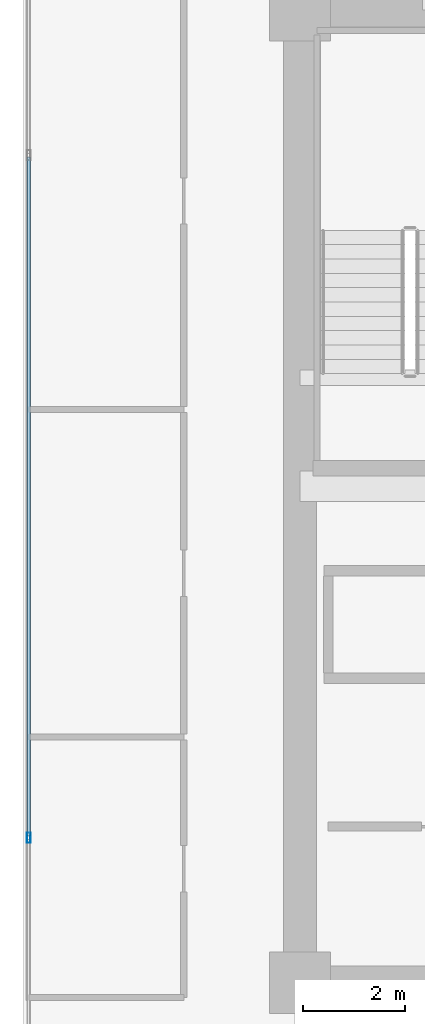
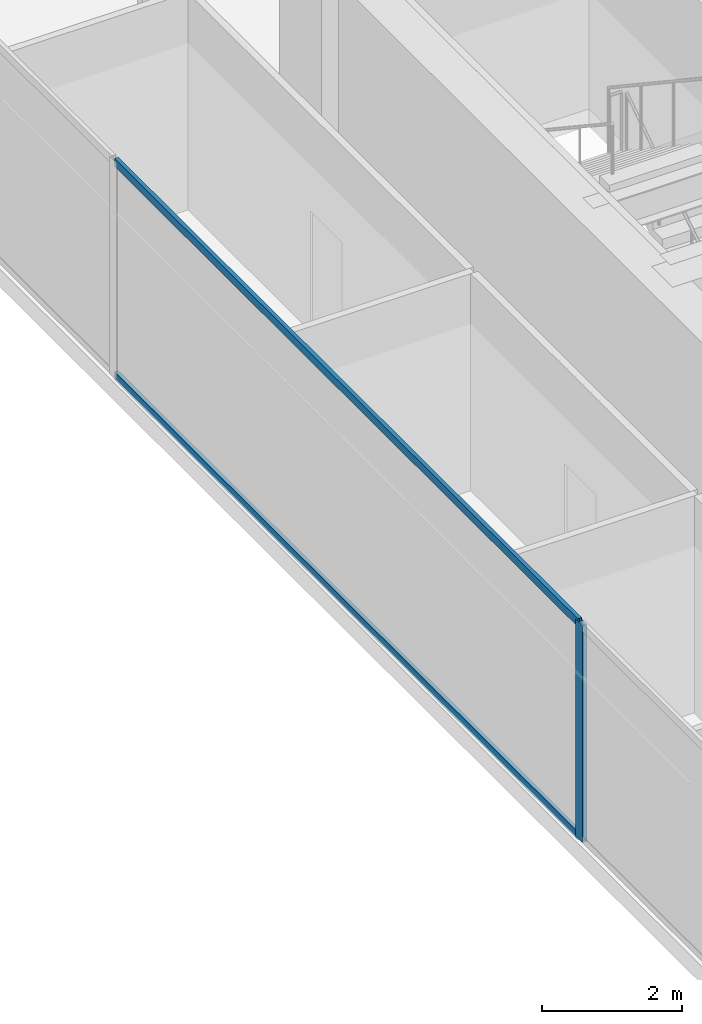
# One storey, part 6 of 34: 3 members, 1 element without a shape of its own.
"""IFC4 building model written with IfcOpenShell, lengths in metres."""

import ifcopenshell
import ifcopenshell.guid

model = None  # the IFC model being written
_history = None  # IfcOwnerHistory: only IFC2X3 demands one
_inside = {}  # id of a spatial element -> (the spatial element, [elements in it])
_under = {}  # id of a project, library or spatial element -> (it, [spatial elements below it])
_declared = {}  # id of a project -> (the project, [libraries it declares])
_typed = {}  # id of a type object -> (the type object, [elements of that type])
_made_of = {}  # id of a material, layer set ... -> (it, [elements and type objects made of it])


def new_model(schema):
    """Start an empty IFC model of exactly this schema.

    Asked for "IFC4X3", IfcOpenShell would pick the latest addendum, in which some entities
    have other attributes; the version numbers below select the first issue.
    IFC2X3 requires an IfcOwnerHistory on every rooted entity: one is made here for all.
    """
    global model, _history
    if schema == "IFC4X3":
        model = ifcopenshell.file(schema_version=(4, 3, 0, 0))
    else:
        model = ifcopenshell.file(schema=schema)
    _inside.clear()
    _under.clear()
    _declared.clear()
    _typed.clear()
    _made_of.clear()
    _history = None
    if model.schema == "IFC2X3":
        org = make("IfcOrganization", Name="unknown")
        user = make(
            "IfcPersonAndOrganization",
            ThePerson=make("IfcPerson", FamilyName="unknown"),
            TheOrganization=org,
        )
        app = make(
            "IfcApplication",
            ApplicationDeveloper=org,
            Version="unknown",
            ApplicationFullName="unknown",
            ApplicationIdentifier="unknown",
        )
        _history = make(
            "IfcOwnerHistory",
            OwningUser=user,
            OwningApplication=app,
            ChangeAction="ADDED",
            CreationDate=0,
        )
    return model


def make(cls, **values):
    """One entity of the class cls with the attributes given. An attribute that is None is left unset."""
    return model.create_entity(
        cls, **{name: value for name, value in values.items() if value is not None}
    )


def rooted(cls, **values):
    """An entity with a GlobalId (a new one), such as an element, a storey or a relation."""
    return make(cls, GlobalId=ifcopenshell.guid.new(), OwnerHistory=_history, **values)


def si_unit(unit_type, name, prefix=None):
    """IfcSIUnit, for example si_unit("LENGTHUNIT", "METRE", prefix="MILLI")."""
    return make("IfcSIUnit", UnitType=unit_type, Prefix=prefix, Name=name)


def assignment(units):
    """IfcUnitAssignment: the units of a project."""
    return None if units is None else make("IfcUnitAssignment", Units=units)


def point(xyz):
    """IfcCartesianPoint."""
    return None if xyz is None else make("IfcCartesianPoint", Coordinates=xyz)


def direction(xyz):
    """IfcDirection."""
    return None if xyz is None else make("IfcDirection", DirectionRatios=xyz)


def frame(location, z_axis=None, x_axis=None):
    """IfcAxis2Placement3D, a coordinate frame: its origin and axes. An axis left out is left unset."""
    return make(
        "IfcAxis2Placement3D",
        Location=point(location),
        Axis=direction(z_axis),
        RefDirection=direction(x_axis),
    )


def frame_2d(location, x_axis=None):
    """IfcAxis2Placement2D, a coordinate frame in the plane: its origin and x axis."""
    return make(
        "IfcAxis2Placement2D", Location=point(location), RefDirection=direction(x_axis)
    )


def origin():
    """The frame at (0, 0, 0) with its axes left unset."""
    return frame((0.0, 0.0, 0.0))


def origin_2d():
    """The frame at (0, 0) in the plane with its x axis left unset."""
    return frame_2d((0.0, 0.0))


def place(relative_to, where):
    """IfcLocalPlacement: puts the frame where relative to a parent placement (None: the world)."""
    return make(
        "IfcLocalPlacement", PlacementRelTo=relative_to, RelativePlacement=where
    )


def context(
    kind, dimensions, precision=None, world=None, true_north=None, identifier=None
):
    """IfcGeometricRepresentationContext, for example the 3D "Model" context."""
    return make(
        "IfcGeometricRepresentationContext",
        ContextIdentifier=identifier,
        ContextType=kind,
        CoordinateSpaceDimension=dimensions,
        Precision=precision,
        WorldCoordinateSystem=world,
        TrueNorth=true_north,
    )


def subcontext(parent, identifier, kind, view, scale=None):
    """IfcGeometricRepresentationSubContext, for example "Body" below "Model"."""
    return make(
        "IfcGeometricRepresentationSubContext",
        ContextIdentifier=identifier,
        ContextType=kind,
        ParentContext=parent,
        TargetScale=scale,
        TargetView=view,
    )


def project(units=None, contexts=None):
    """IfcProject with its units and contexts."""
    return rooted(
        "IfcProject",
        Name="project",
        RepresentationContexts=contexts,
        UnitsInContext=assignment(units),
    )


def spatial(cls, under=None, at=None, **own):
    """A site, building, storey or space (cls), placed at a placement, below another one or the project."""
    s = rooted(cls, ObjectPlacement=at, **own)
    if under is not None:
        _under.setdefault(under.id(), (under, []))[1].append(s)
    return s


def profile(cls, at=None, kind="AREA", **sizes):
    """A parametric profile (cls). Its sizes go by their IFC names, for example OverallWidth=200.0."""
    return make(cls, ProfileType=kind, Position=at, **sizes)


def hollow_rectangle(**sizes):
    """IfcRectangleHollowProfileDef."""
    return profile("IfcRectangleHollowProfileDef", **sizes)


def extrude(swept, where, along, depth):
    """IfcExtrudedAreaSolid: the profile swept, set in the frame where, extruded along a direction by depth."""
    return make(
        "IfcExtrudedAreaSolid",
        SweptArea=swept,
        Position=where,
        ExtrudedDirection=direction(along),
        Depth=depth,
    )


def shape(context_of_items, identifier, shape_type, items):
    """IfcShapeRepresentation: the items that make up one representation, for example the "Body"."""
    return make(
        "IfcShapeRepresentation",
        ContextOfItems=context_of_items,
        RepresentationIdentifier=identifier,
        RepresentationType=shape_type,
        Items=items,
    )


def source(mapping_origin, context_of_items, identifier, shape_type, items):
    """IfcRepresentationMap: a shape defined once, which mapped items show again and again."""
    return make(
        "IfcRepresentationMap",
        MappingOrigin=mapping_origin,
        MappedRepresentation=shape(context_of_items, identifier, shape_type, items),
    )


def transform(
    local_origin,
    x_axis=None,
    y_axis=None,
    z_axis=None,
    scale=None,
    scale2=None,
    scale3=None,
    uniform=True,
):
    """IfcCartesianTransformationOperator3D, or its non-uniform kind. x_axis, y_axis, z_axis: its Axis1, 2, 3."""
    if uniform:
        return make(
            "IfcCartesianTransformationOperator3D",
            Axis1=direction(x_axis),
            Axis2=direction(y_axis),
            LocalOrigin=point(local_origin),
            Scale=scale,
            Axis3=direction(z_axis),
        )
    return make(
        "IfcCartesianTransformationOperator3DnonUniform",
        Axis1=direction(x_axis),
        Axis2=direction(y_axis),
        LocalOrigin=point(local_origin),
        Scale=scale,
        Axis3=direction(z_axis),
        Scale2=scale2,
        Scale3=scale3,
    )


def mapped(mapping_source, mapping_target):
    """IfcMappedItem: shows the shape of a source again, moved by a transform."""
    return make(
        "IfcMappedItem", MappingSource=mapping_source, MappingTarget=mapping_target
    )


def material(Name=None, Category=None):
    """IfcMaterial."""
    return make("IfcMaterial", Name=Name, Category=Category)


def layer(
    of_material, thickness, ventilated=None, Name=None, Category=None, Priority=None
):
    """IfcMaterialLayer: one layer of a wall or slab, of a material (None: an air gap)."""
    return make(
        "IfcMaterialLayer",
        Material=of_material,
        LayerThickness=thickness,
        IsVentilated=ventilated,
        Name=Name,
        Category=Category,
        Priority=Priority,
    )


def layer_set(layers, Name=None):
    """IfcMaterialLayerSet."""
    return make("IfcMaterialLayerSet", MaterialLayers=layers, LayerSetName=Name)


def material_profile(
    of_material, cross_section, Name=None, Category=None, Priority=None
):
    """IfcMaterialProfile: a cross section and its material."""
    return make(
        "IfcMaterialProfile",
        Name=Name,
        Material=of_material,
        Profile=cross_section,
        Priority=Priority,
        Category=Category,
    )


def profile_set(profiles, Name=None, composite=None):
    """IfcMaterialProfileSet."""
    return make(
        "IfcMaterialProfileSet",
        Name=Name,
        MaterialProfiles=profiles,
        CompositeProfile=composite,
    )


def made_of(thing, what):
    """Note that an element or type object is made of a material, layer set ...; save() writes the relation."""
    if what is not None:
        _made_of.setdefault(what.id(), (what, []))[1].append(thing)
    return thing


def type_object(cls, material=None, **own):
    """A type object (cls), such as IfcWallType, which elements share."""
    return made_of(rooted(cls, **own), material)


def type_shapes(of_type, sources):
    """Give a type object the sources (RepresentationMaps) that its elements show as mapped items."""
    of_type.RepresentationMaps = sources


def element(
    cls,
    number,
    at=None,
    inside=None,
    cuts=None,
    type_object=None,
    material=None,
    context=None,
    identifier="Body",
    shape_type=None,
    held_by="IfcProductDefinitionShape",
    body=None,
    shapes=None,
    **own,
):
    """One element of the class cls, such as IfcWall. Its Tag is "e" and its number.

    at: its placement. inside: the storey or other place that contains it. cuts: it is an
    opening in that element (IfcRelVoidsElement). A single representation is given by context,
    identifier, shape_type and body (its items); several are given by shapes. held_by: the class
    of the entity that holds the representations. save() writes the other relations.
    """
    e = rooted(cls, Tag="e%d" % number, ObjectPlacement=at, **own)
    if body is not None:
        shapes = [shape(context, identifier, shape_type, body)]
    if shapes is not None:
        e.Representation = make(held_by, Representations=shapes)
    if inside is not None:
        _inside.setdefault(inside.id(), (inside, []))[1].append(e)
    if cuts is not None:
        rooted(
            "IfcRelVoidsElement", RelatingBuildingElement=cuts, RelatedOpeningElement=e
        )
    if type_object is not None:
        _typed.setdefault(type_object.id(), (type_object, []))[1].append(e)
    return made_of(e, material)


def aggregate(whole, parts):
    """IfcRelAggregates: a whole, such as a stair, and the parts it consists of."""
    return rooted("IfcRelAggregates", RelatingObject=whole, RelatedObjects=parts)


def save(model, path):
    """Write the relations noted so far, then the file.

    IfcRelAggregates (storeys below a building ...), IfcRelContainedInSpatialStructure (elements
    in a storey), IfcRelDefinesByType, IfcRelAssociatesMaterial and IfcRelDeclares: one each for
    every whole, place, type object, material and project.
    """
    for whole, parts in _under.values():
        aggregate(whole, parts)
    for where, things in _inside.values():
        rooted(
            "IfcRelContainedInSpatialStructure",
            RelatedElements=things,
            RelatingStructure=where,
        )
    for kind, things in _typed.values():
        rooted("IfcRelDefinesByType", RelatedObjects=things, RelatingType=kind)
    for what, things in _made_of.values():
        rooted("IfcRelAssociatesMaterial", RelatedObjects=things, RelatingMaterial=what)
    for by, libraries in _declared.values():
        rooted("IfcRelDeclares", RelatingContext=by, RelatedDefinitions=libraries)
    model.write(path)


model = new_model("IFC4")

# Units and contexts
model_context = context("Model", 3, precision=1e-05, world=origin(), true_north=direction((0.0, 1.0)))
body_context = subcontext(model_context, "Body", "Model", "MODEL_VIEW")
ifc_project = project(units=[si_unit("LENGTHUNIT", "METRE"), si_unit("AREAUNIT", "SQUARE_METRE"), si_unit("VOLUMEUNIT", "CUBIC_METRE"), si_unit("PLANEANGLEUNIT", "RADIAN"), si_unit("MASSUNIT", "GRAM", prefix="KILO")], contexts=[model_context])

# Site, building, storey
site_placement = place(None, origin())
site = spatial("IfcSite", under=ifc_project, at=site_placement, CompositionType="ELEMENT")
building_placement = place(site_placement, origin())
building = spatial("IfcBuilding", under=site, at=building_placement, Name="Haelvirn Gate Laboratories", CompositionType="ELEMENT")
storey_placement = place(building_placement, frame((0.0, 0.0, 178.89990234375)))
storey = spatial("IfcBuildingStorey", under=building, at=storey_placement, Name="L43", CompositionType="ELEMENT", Elevation=178.89990234375)

# Curtain wall, members
ifc_material_1 = material(Name="Anodised bronze unitised aluminium & triple low-E glass", Category="aluminium")
ifc_layer = layer(ifc_material_1, 0.179931640625, Name="CW-SYS-3")
ifc_layer_set = layer_set([ifc_layer], Name="Anodised bronze unitised aluminium & triple low-E glass")
curtain_wall_type = type_object("IfcCurtainWallType", Name="CW-SYS-3", PredefinedType="NOTDEFINED", material=ifc_layer_set)
curtain_wall_placement = place(storey_placement, origin())
curtain_wall = element("IfcCurtainWall", 1, at=curtain_wall_placement, inside=storey, type_object=curtain_wall_type, Name="L43 Unitised Curtain Wall CW-L43-P0-E17", PredefinedType="NOTDEFINED")
ifc_material_2 = material(Name="Extruded aluminium 6063-T6 (anodised bronze)", Category="aluminium")
ifc_material_profile_1 = material_profile(ifc_material_2, hollow_rectangle(XDim=0.06494140625, YDim=0.139892578125, WallThickness=0.00390625, at=origin_2d()), Name="CWT-140x65x4")
ifc_profile_set_1 = profile_set([ifc_material_profile_1], Name="Extruded aluminium 6063-T6 (anodised bronze)")
member_type_1 = type_object("IfcMemberType", Name="CWT-T140", PredefinedType="USERDEFINED", material=ifc_profile_set_1)
shared_shape_1 = source(origin(), body_context, "Body", "SweptSolid", [
    extrude(hollow_rectangle(XDim=0.06494140625, YDim=0.139892578125, WallThickness=0.00390625, at=origin_2d()), origin(), (0.0, 0.0, 1.0), 13.25830078125),
])
type_shapes(member_type_1, [shared_shape_1])
member_1_placement = place(storey_placement, frame((2.10009765625, 30.92919921875, 0.03271484375), z_axis=(0.0, -1.0, 0.0), x_axis=(1.0, 0.0, 0.0)))
member_1 = element("IfcMember", 2, at=member_1_placement, type_object=member_type_1, Name="CW3 transom 2.1", ObjectType="TRANSOM", PredefinedType="USERDEFINED", context=body_context, shape_type="MappedRepresentation", body=[
    mapped(shared_shape_1, transform((0.0, 0.0, 0.0), scale=1.0)),
])
member_2_placement = place(storey_placement, frame((2.10009765625, 30.92919921875, 3.757568359375), z_axis=(0.0, -1.0, 0.0), x_axis=(1.0, 0.0, 0.0)))
member_2 = element("IfcMember", 3, at=member_2_placement, type_object=member_type_1, Name="CW3 transom 2.2", ObjectType="TRANSOM", PredefinedType="USERDEFINED", context=body_context, shape_type="MappedRepresentation", body=[
    mapped(shared_shape_1, transform((0.0, 0.0, 0.0), scale=1.0)),
])
ifc_material_profile_2 = material_profile(ifc_material_2, hollow_rectangle(XDim=0.074951171875, YDim=0.199951171875, WallThickness=0.0048828125, at=origin_2d()), Name="CWM-200x75x5")
ifc_profile_set_2 = profile_set([ifc_material_profile_2], Name="Extruded aluminium 6063-T6 (anodised bronze)")
member_type_2 = type_object("IfcMemberType", Name="CWM-T200", PredefinedType="MULLION", material=ifc_profile_set_2)
shared_shape_2 = source(origin(), body_context, "Body", "SweptSolid", [
    extrude(hollow_rectangle(XDim=0.074951171875, YDim=0.199951171875, WallThickness=0.0048828125, at=origin_2d()), origin(), (0.0, 0.0, 1.0), 3.7900390625),
])
type_shapes(member_type_2, [shared_shape_2])
member_3_placement = place(storey_placement, frame((2.10009765625, 17.63330078125, 0.0), z_axis=(0.0, 0.0, 1.0), x_axis=(1.0, 0.0, 0.0)))
member_3 = element("IfcMember", 4, at=member_3_placement, type_object=member_type_2, Name="CW3 mullion 3", PredefinedType="MULLION", context=body_context, shape_type="MappedRepresentation", body=[
    mapped(shared_shape_2, transform((0.0, 0.0, 0.0), scale=1.0)),
])
aggregate(curtain_wall, [member_3, member_1, member_2])

save(model, "model.ifc")
